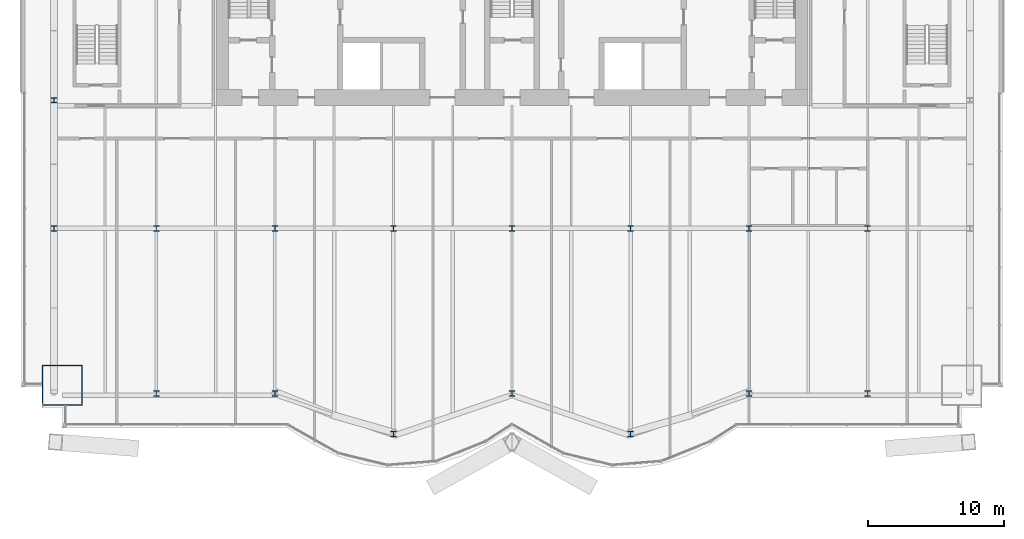
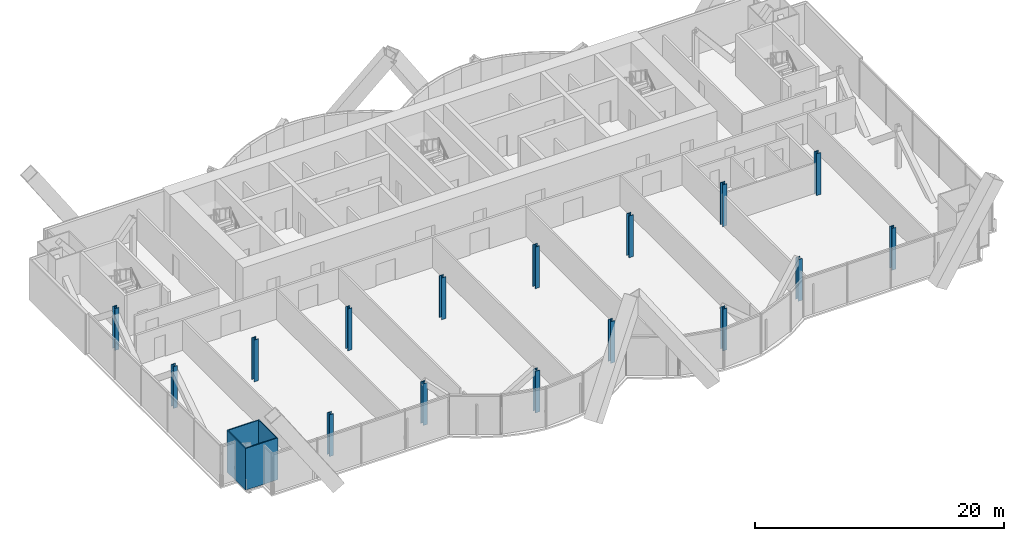
# One storey, part 1 of 21: 17 columns.
"""IFC4 building model written with IfcOpenShell, lengths in metres."""

from ifc_helpers import new_model, si_unit, direction, frame, origin, origin_2d, place, context, subcontext, project, spatial, hollow_rectangle, i_section, extrude, material, material_profile, profile_set, type_object, element, save


model = new_model("IFC4")

# Units and contexts
model_context = context("Model", 3, precision=1e-05, world=origin(), true_north=direction((0.0, 1.0)))
body_context = subcontext(model_context, "Body", "Model", "MODEL_VIEW")
ifc_project = project(units=[si_unit("LENGTHUNIT", "METRE"), si_unit("AREAUNIT", "SQUARE_METRE"), si_unit("VOLUMEUNIT", "CUBIC_METRE"), si_unit("PLANEANGLEUNIT", "RADIAN"), si_unit("MASSUNIT", "GRAM", prefix="KILO")], contexts=[model_context])

# Site, building, storey
site_placement = place(None, origin())
site = spatial("IfcSite", under=ifc_project, at=site_placement, CompositionType="ELEMENT")
building_placement = place(site_placement, origin())
building = spatial("IfcBuilding", under=site, at=building_placement, Name="Bicima Exchange Tower", CompositionType="ELEMENT")
storey_placement = place(building_placement, frame((0.0, 0.0, 130.89990234375)))
storey = spatial("IfcBuildingStorey", under=building, at=storey_placement, Name="L28", CompositionType="ELEMENT", Elevation=130.89990234375)

# Columns
ifc_material_1 = material(Name="Steel ASTM A992 Gr 50", Category="steel")
ifc_material_profile_1 = material_profile(ifc_material_1, i_section(OverallWidth=0.406494140625, OverallDepth=0.41650390625, WebThickness=0.030029296875, FlangeThickness=0.048095703125, at=origin_2d()))
ifc_profile_set_1 = profile_set([ifc_material_profile_1], Name="Steel ASTM A992 Gr 50")
column_type_1 = type_object("IfcColumnType", Name="Interior column W14x257", PredefinedType="COLUMN", material=ifc_profile_set_1)
for number, where, z_axis, x_axis, name in (
    (1, (-26.10009765625, -22.0, 0.0), (0.0, 0.0, 1.0), (1.0, 0.0, 0.0), "Interior column interior-26.1i"),
    (2, (-17.39990234375, -22.0, 0.0), (0.0, 0.0, 1.0), (1.0, 0.0, 0.0), "Interior column interior-17.4i"),
    (3, (-8.699951171875, -22.0, 0.0), (0.0, 0.0, 1.0), (1.0, 0.0, 0.0), "Interior column interior-8.7i"),
    (4, (0.0, -22.0, 0.0), (0.0, 0.0, 1.0), (1.0, 0.0, 0.0), "Interior column interior+0.0i"),
    (5, (8.699951171875, -22.0, 0.0), (0.0, 0.0, 1.0), (1.0, 0.0, 0.0), "Interior column interior+8.7i"),
    (6, (17.39990234375, -22.0, 0.0), (0.0, 0.0, 1.0), (1.0, 0.0, 0.0), "Interior column interior+17.4i"),
    (7, (26.10009765625, -22.0, 0.0), (0.0, 0.0, 1.0), (1.0, 0.0, 0.0), "Interior column interior+26.1i"),
):
    element("IfcColumn", number, at=place(storey_placement, frame(where, z_axis=z_axis, x_axis=x_axis)), inside=storey, type_object=column_type_1, Name=name, PredefinedType="COLUMN", context=body_context, shape_type="SweptSolid", body=[
        extrude(i_section(OverallWidth=0.406494140625, OverallDepth=0.41650390625, WebThickness=0.030029296875, FlangeThickness=0.048095703125, at=origin_2d()), origin(), (0.0, 0.0, 1.0), 4.10009765625),
    ])
ifc_material_2 = material(Name="Steel ASTM A572 Gr 50", Category="steel")
ifc_material_profile_2 = material_profile(ifc_material_2, hollow_rectangle(XDim=3.0, YDim=3.0, WallThickness=0.090087890625, at=origin_2d()))
ifc_profile_set_2 = profile_set([ifc_material_profile_2], Name="Steel ASTM A572 Gr 50")
column_type_2 = type_object("IfcColumnType", Name="Mega column BOX 3000x3000x90", PredefinedType="COLUMN", material=ifc_profile_set_2)
column_placement = place(storey_placement, frame((-33.0, -33.510009765625, 0.0), z_axis=(0.0, 0.0, 1.0), x_axis=(1.0, 0.0, 0.0)))
element("IfcColumn", 8, at=column_placement, inside=storey, type_object=column_type_2, Name="Mega column mega-33.0f", PredefinedType="COLUMN", context=body_context, shape_type="SweptSolid", body=[
    extrude(hollow_rectangle(XDim=3.0, YDim=3.0, WallThickness=0.090087890625, at=origin_2d()), origin(), (0.0, 0.0, 1.0), 4.10009765625),
])
ifc_material_profile_3 = material_profile(ifc_material_1, i_section(OverallWidth=0.398681640625, OverallDepth=0.393798828125, WebThickness=0.022705078125, FlangeThickness=0.03662109375, at=origin_2d()))
ifc_profile_set_3 = profile_set([ifc_material_profile_3], Name="Steel ASTM A992 Gr 50")
column_type_3 = type_object("IfcColumnType", Name="Perimeter column W14x193", PredefinedType="COLUMN", material=ifc_profile_set_3)
for number, where, z_axis, x_axis, name in (
    (9, (-26.10009765625, -34.110107421875, 0.0), (0.0, 0.0, 1.0), (1.0, 0.0, 0.0), "Perimeter column grav-26.1f"),
    (10, (-17.39990234375, -34.110107421875, 0.0), (0.0, 0.0, 1.0), (1.0, 0.0, 0.0), "Perimeter column grav-17.4f"),
    (11, (-8.699951171875, -37.10107421875, 0.0), (0.0, 0.0, 1.0), (1.0, 0.0, 0.0), "Perimeter column grav-8.7f"),
    (12, (0.0, -34.110107421875, 0.0), (0.0, 0.0, 1.0), (1.0, 0.0, 0.0), "Perimeter column grav-0.0f"),
    (13, (8.699951171875, -37.10107421875, 0.0), (0.0, 0.0, 1.0), (1.0, 0.0, 0.0), "Perimeter column grav+8.7f"),
    (14, (17.39990234375, -34.110107421875, 0.0), (0.0, 0.0, 1.0), (1.0, 0.0, 0.0), "Perimeter column grav+17.4f"),
    (15, (26.10009765625, -34.110107421875, 0.0), (0.0, 0.0, 1.0), (1.0, 0.0, 0.0), "Perimeter column grav+26.1f"),
    (16, (-33.60009765625, -12.60009765625, 0.0), (0.0, 0.0, 1.0), (1.0, 0.0, 0.0), "End column end-33.6e"),
    (17, (-33.60009765625, -22.0, 0.0), (0.0, 0.0, 1.0), (1.0, 0.0, 0.0), "End column end-33.6e"),
):
    element("IfcColumn", number, at=place(storey_placement, frame(where, z_axis=z_axis, x_axis=x_axis)), inside=storey, type_object=column_type_3, Name=name, PredefinedType="COLUMN", context=body_context, shape_type="SweptSolid", body=[
        extrude(i_section(OverallWidth=0.398681640625, OverallDepth=0.393798828125, WebThickness=0.022705078125, FlangeThickness=0.03662109375, at=origin_2d()), origin(), (0.0, 0.0, 1.0), 4.10009765625),
    ])

save(model, "model.ifc")
